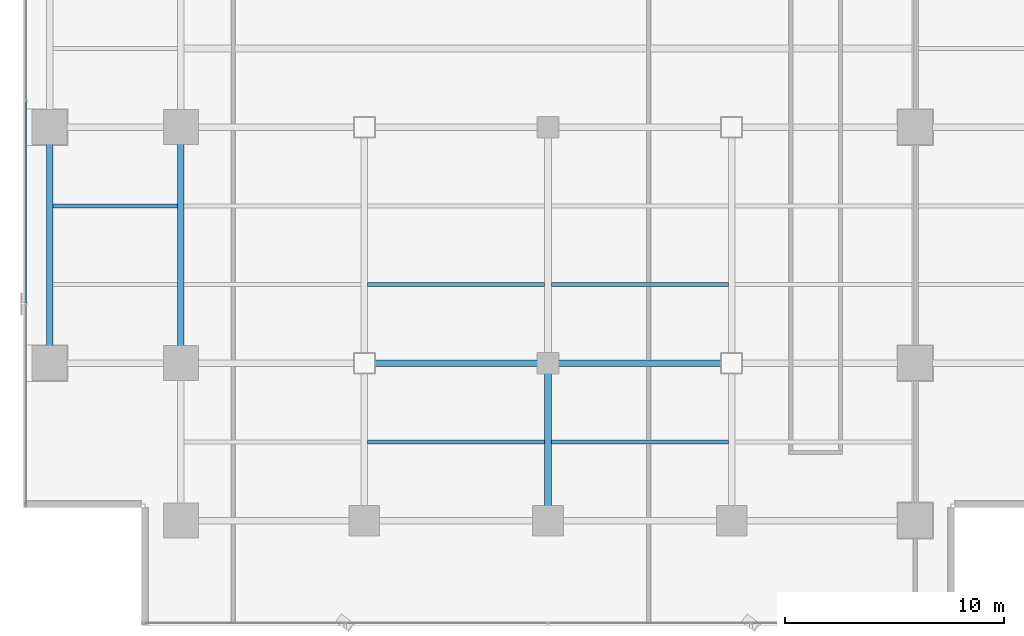
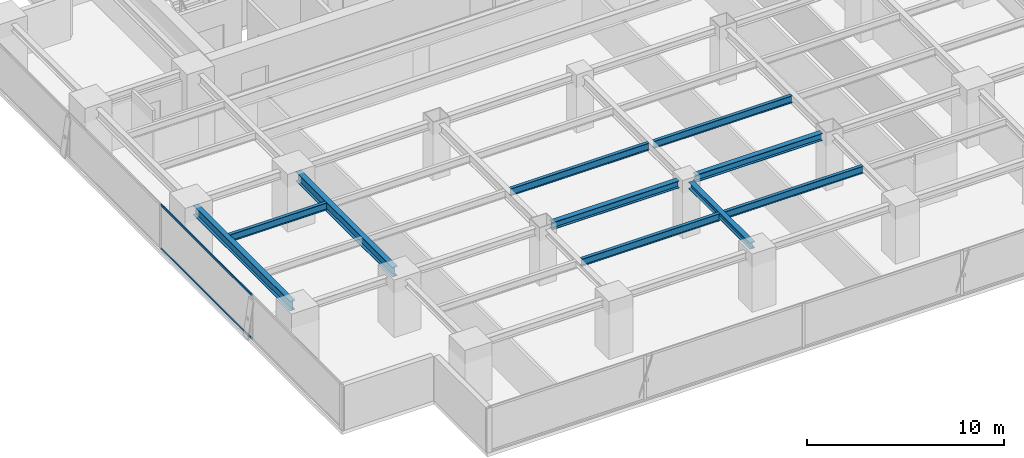
# One storey, part 6 of 27: 10 beams, 2 members, 1 element without a shape of its own.
"""IFC4 building model written with IfcOpenShell, lengths in metres."""

from ifc_helpers import new_model, si_unit, direction, frame, origin, origin_2d, place, context, subcontext, project, spatial, hollow_rectangle, i_section, extrude, source, transform, mapped, material, layer, layer_set, material_profile, profile_set, type_object, element, aggregate, save


model = new_model("IFC4")

# Units and contexts
model_context = context("Model", 3, precision=1e-05, world=origin(), true_north=direction((0.0, 1.0)))
body_context = subcontext(model_context, "Body", "Model", "MODEL_VIEW")
ifc_project = project(units=[si_unit("LENGTHUNIT", "METRE"), si_unit("AREAUNIT", "SQUARE_METRE"), si_unit("VOLUMEUNIT", "CUBIC_METRE"), si_unit("PLANEANGLEUNIT", "RADIAN"), si_unit("MASSUNIT", "GRAM", prefix="KILO")], contexts=[model_context])

# Site, building, storey
site_placement = place(None, origin())
site = spatial("IfcSite", under=ifc_project, at=site_placement, CompositionType="ELEMENT")
building_placement = place(site_placement, origin())
building = spatial("IfcBuilding", under=site, at=building_placement, Name="Sumidabori Civic Tower", CompositionType="ELEMENT")
storey_placement = place(building_placement, frame((0.0, 0.0, 160.39990234375)))
storey = spatial("IfcBuildingStorey", under=building, at=storey_placement, Name="L41", CompositionType="ELEMENT", Elevation=160.39990234375)

# Beams
ifc_material_1 = material(Name="Steel SN490", Category="steel")
ifc_material_profile_1 = material_profile(ifc_material_1, i_section(OverallWidth=0.300048828125, OverallDepth=0.39990234375, WebThickness=0.013427734375, FlangeThickness=0.02392578125, at=origin_2d()), Name="HE 400 B")
ifc_profile_set_1 = profile_set([ifc_material_profile_1], Name="Steel SN490")
beam_type_1 = type_object("IfcBeamType", Name="BM-GIRD-400", PredefinedType="BEAM", material=ifc_profile_set_1)
shared_shape_1 = source(origin(), body_context, "Body", "SweptSolid", [
    extrude(i_section(OverallWidth=0.300048828125, OverallDepth=0.39990234375, WebThickness=0.013427734375, FlangeThickness=0.02392578125, at=origin_2d()), origin(), (0.0, 0.0, 1.0), 6.239990234375),
])
beam_1_placement = place(storey_placement, frame((0.0, -17.52001953125, 3.18017578125), z_axis=(0.0, 1.0, 0.0), x_axis=(-1.0, 0.0, 0.0)))
element("IfcBeam", 1, at=beam_1_placement, inside=storey, type_object=beam_type_1, Name="Primary Girder L41 GY-28", PredefinedType="BEAM", context=body_context, shape_type="MappedRepresentation", body=[
    mapped(shared_shape_1, transform((0.0, 0.0, 0.0), x_axis=(1.0, 0.0, 0.0), y_axis=(0.0, 1.0, 0.0), z_axis=(0.0, 0.0, 1.0), scale=1.0)),
])
ifc_material_profile_2 = material_profile(ifc_material_1, i_section(OverallWidth=0.300048828125, OverallDepth=0.60009765625, WebThickness=0.015380859375, FlangeThickness=0.030029296875, at=origin_2d()), Name="HE 600 B")
ifc_profile_set_2 = profile_set([ifc_material_profile_2], Name="Steel SN490")
beam_type_2 = type_object("IfcBeamType", Name="BM-GIRD-600", PredefinedType="BEAM", material=ifc_profile_set_2)
shared_shape_2 = source(origin(), body_context, "Body", "SweptSolid", [
    extrude(i_section(OverallWidth=0.300048828125, OverallDepth=0.60009765625, WebThickness=0.015380859375, FlangeThickness=0.030029296875, at=origin_2d()), origin(), (0.0, 0.0, 1.0), 9.840087890625),
])
for number, where, z_axis, x_axis, name in (
    (2, (-22.800048828125, -10.320068359375, 3.080078125), (0.0, 1.0, 0.0), (-1.0, 0.0, 0.0), "Primary Girder L41 GY-19"),
    (3, (-16.800048828125, -10.320068359375, 3.080078125), (0.0, 1.0, 0.0), (-1.0, 0.0, 0.0), "Primary Girder L41 GY-23"),
):
    element("IfcBeam", number, at=place(storey_placement, frame(where, z_axis=z_axis, x_axis=x_axis)), inside=storey, type_object=beam_type_2, Name=name, PredefinedType="BEAM", context=body_context, shape_type="MappedRepresentation", body=[
        mapped(shared_shape_2, transform((0.0, 0.0, 0.0), x_axis=(1.0, 0.0, 0.0), y_axis=(0.0, 1.0, 0.0), z_axis=(0.0, 0.0, 1.0), scale=1.0)),
    ])
ifc_material_profile_3 = material_profile(ifc_material_1, i_section(OverallWidth=0.18994140625, OverallDepth=0.449951171875, WebThickness=0.009521484375, FlangeThickness=0.0146484375, at=origin_2d()), Name="IPE 450")
ifc_profile_set_3 = profile_set([ifc_material_profile_3], Name="Steel SN490")
beam_type_3 = type_object("IfcBeamType", Name="BM-JST-450", PredefinedType="JOIST", material=ifc_profile_set_3)
shared_shape_3 = source(origin(), body_context, "Body", "SweptSolid", [
    extrude(i_section(OverallWidth=0.18994140625, OverallDepth=0.449951171875, WebThickness=0.009521484375, FlangeThickness=0.0146484375, at=origin_2d()), origin(), (0.0, 0.0, 1.0), 5.699951171875),
])
beam_2_placement = place(storey_placement, frame((-22.64990234375, -3.60009765625, 3.155029296875), z_axis=(1.0, 0.0, 0.0), x_axis=(0.0, 1.0, 0.0)))
element("IfcBeam", 4, at=beam_2_placement, inside=storey, type_object=beam_type_3, Name="Outer Bay Floor Joist L41 JSTO-41", PredefinedType="JOIST", context=body_context, shape_type="MappedRepresentation", body=[
    mapped(shared_shape_3, transform((0.0, 0.0, 0.0), x_axis=(1.0, 0.0, 0.0), y_axis=(0.0, 1.0, 0.0), z_axis=(0.0, 0.0, 1.0), scale=1.0)),
])
shared_shape_4 = source(origin(), body_context, "Body", "SweptSolid", [
    extrude(i_section(OverallWidth=0.18994140625, OverallDepth=0.449951171875, WebThickness=0.009521484375, FlangeThickness=0.0146484375, at=origin_2d()), origin(), (0.0, 0.0, 1.0), 8.10009765625),
])
for number, where, z_axis, x_axis, name in (
    (5, (-8.25, -14.39990234375, 3.155029296875), (1.0, 0.0, 0.0), (0.0, 1.0, 0.0), "South Bay Floor Joist L41 JSTS-50"),
    (6, (0.14990234375, -14.39990234375, 3.155029296875), (1.0, 0.0, 0.0), (0.0, 1.0, 0.0), "South Bay Floor Joist L41 JSTS-51"),
    (7, (-8.25, -7.199951171875, 3.155029296875), (1.0, 0.0, 0.0), (0.0, 1.0, 0.0), "South Bay Floor Joist L41 JSTS-54"),
    (8, (0.14990234375, -7.199951171875, 3.155029296875), (1.0, 0.0, 0.0), (0.0, 1.0, 0.0), "South Bay Floor Joist L41 JSTS-55"),
):
    element("IfcBeam", number, at=place(storey_placement, frame(where, z_axis=z_axis, x_axis=x_axis)), inside=storey, type_object=beam_type_3, Name=name, PredefinedType="JOIST", context=body_context, shape_type="MappedRepresentation", body=[
        mapped(shared_shape_4, transform((0.0, 0.0, 0.0), x_axis=(1.0, 0.0, 0.0), y_axis=(0.0, 1.0, 0.0), z_axis=(0.0, 0.0, 1.0), scale=1.0)),
    ])
ifc_material_profile_4 = material_profile(ifc_material_1, i_section(OverallWidth=0.300048828125, OverallDepth=0.449951171875, WebThickness=0.013916015625, FlangeThickness=0.02587890625, at=origin_2d()), Name="HE 450 B")
ifc_profile_set_4 = profile_set([ifc_material_profile_4], Name="Steel SN490")
beam_type_4 = type_object("IfcBeamType", Name="BM-GIRD-450", PredefinedType="BEAM", material=ifc_profile_set_4)
shared_shape_5 = source(origin(), body_context, "Body", "SweptSolid", [
    extrude(i_section(OverallWidth=0.300048828125, OverallDepth=0.449951171875, WebThickness=0.013916015625, FlangeThickness=0.02587890625, at=origin_2d()), origin(), (0.0, 0.0, 1.0), 7.43994140625),
])
for number, where, z_axis, x_axis, name in (
    (9, (-7.919921875, -10.800048828125, 3.155029296875), (1.0, 0.0, 0.0), (0.0, 1.0, 0.0), "Primary Girder L41 GX-07"),
    (10, (0.47998046875, -10.800048828125, 3.155029296875), (1.0, 0.0, 0.0), (0.0, 1.0, 0.0), "Primary Girder L41 GX-08"),
):
    element("IfcBeam", number, at=place(storey_placement, frame(where, z_axis=z_axis, x_axis=x_axis)), inside=storey, type_object=beam_type_4, Name=name, PredefinedType="BEAM", context=body_context, shape_type="MappedRepresentation", body=[
        mapped(shared_shape_5, transform((0.0, 0.0, 0.0), x_axis=(1.0, 0.0, 0.0), y_axis=(0.0, 1.0, 0.0), z_axis=(0.0, 0.0, 1.0), scale=1.0)),
    ])

# Curtain wall, members
ifc_material_2 = material(Name="Anodised Bronze Aluminium AW-6063-T6", Category="aluminium")
ifc_layer = layer(ifc_material_2, 0.179931640625, Name="Anodised Bronze Aluminium AW-6063-T6")
ifc_layer_set = layer_set([ifc_layer], Name="Anodised Bronze Aluminium AW-6063-T6")
curtain_wall_type = type_object("IfcCurtainWallType", Name="CW-SYS-3", PredefinedType="NOTDEFINED", material=ifc_layer_set)
curtain_wall_placement = place(storey_placement, origin())
curtain_wall = element("IfcCurtainWall", 11, at=curtain_wall_placement, inside=storey, type_object=curtain_wall_type, Name="Curtain Wall CW:L41:R10", PredefinedType="NOTDEFINED")
ifc_material_profile_5 = material_profile(ifc_material_2, hollow_rectangle(XDim=0.06005859375, YDim=0.1298828125, WallThickness=0.0048828125, at=origin_2d()), Name="ALU TRANSOM 130x60")
ifc_profile_set_5 = profile_set([ifc_material_profile_5], Name="Anodised Bronze Aluminium AW-6063-T6")
member_type = type_object("IfcMemberType", Name="CW-TRN-130", PredefinedType="USERDEFINED", material=ifc_profile_set_5)
shared_shape_6 = source(origin(), body_context, "Body", "SweptSolid", [
    extrude(hollow_rectangle(XDim=0.06005859375, YDim=0.1298828125, WallThickness=0.0048828125, at=origin_2d()), origin(), (0.0, 0.0, 1.0), 9.219970703125),
])
member_1_placement = place(storey_placement, frame((-23.8798828125, 1.16748046875, 0.030029296875), z_axis=(0.0, -1.0, 0.0), x_axis=(1.0, 0.0, 0.0)))
member_1 = element("IfcMember", 12, at=member_1_placement, type_object=member_type, Name="CW-3 transom 3.1", ObjectType="TRANSOM", PredefinedType="USERDEFINED", context=body_context, shape_type="MappedRepresentation", body=[
    mapped(shared_shape_6, transform((0.0, 0.0, 0.0), x_axis=(1.0, 0.0, 0.0), y_axis=(0.0, 1.0, 0.0), z_axis=(0.0, 0.0, 1.0), scale=1.0)),
])
member_2_placement = place(storey_placement, frame((-23.8798828125, 1.16748046875, 2.72998046875), z_axis=(0.0, -1.0, 0.0), x_axis=(1.0, 0.0, 0.0)))
member_2 = element("IfcMember", 13, at=member_2_placement, type_object=member_type, Name="CW-3 transom 3.2", ObjectType="TRANSOM", PredefinedType="USERDEFINED", context=body_context, shape_type="MappedRepresentation", body=[
    mapped(shared_shape_6, transform((0.0, 0.0, 0.0), x_axis=(1.0, 0.0, 0.0), y_axis=(0.0, 1.0, 0.0), z_axis=(0.0, 0.0, 1.0), scale=1.0)),
])
aggregate(curtain_wall, [member_1, member_2])

save(model, "model.ifc")
